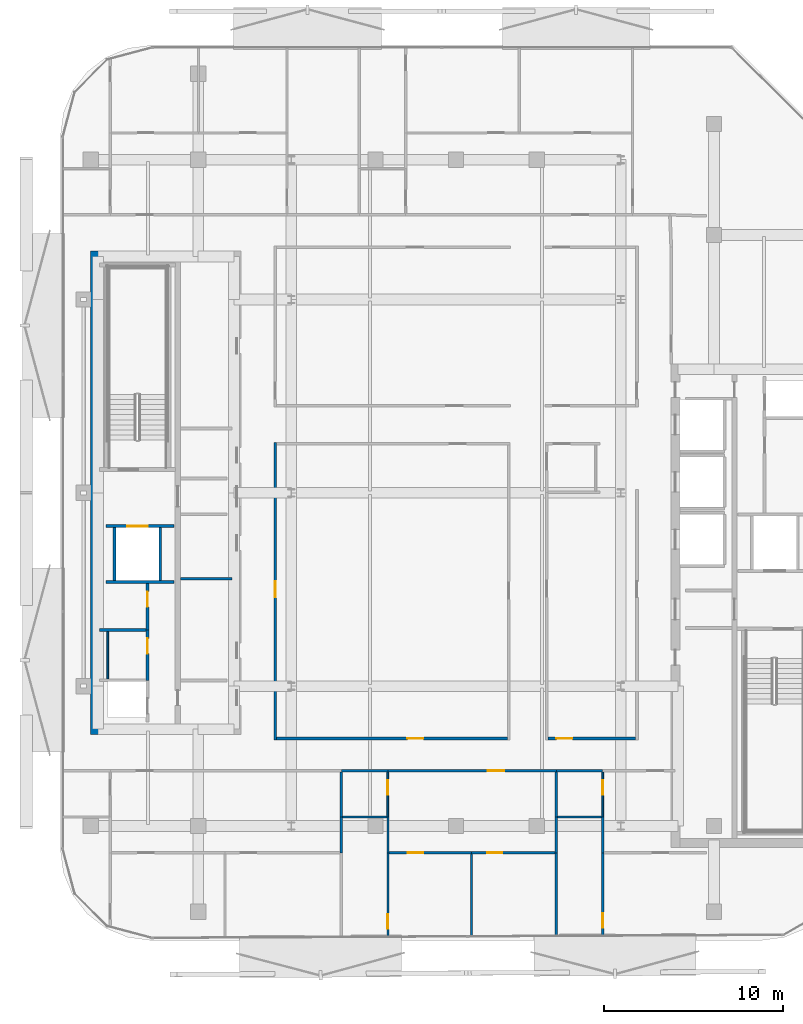
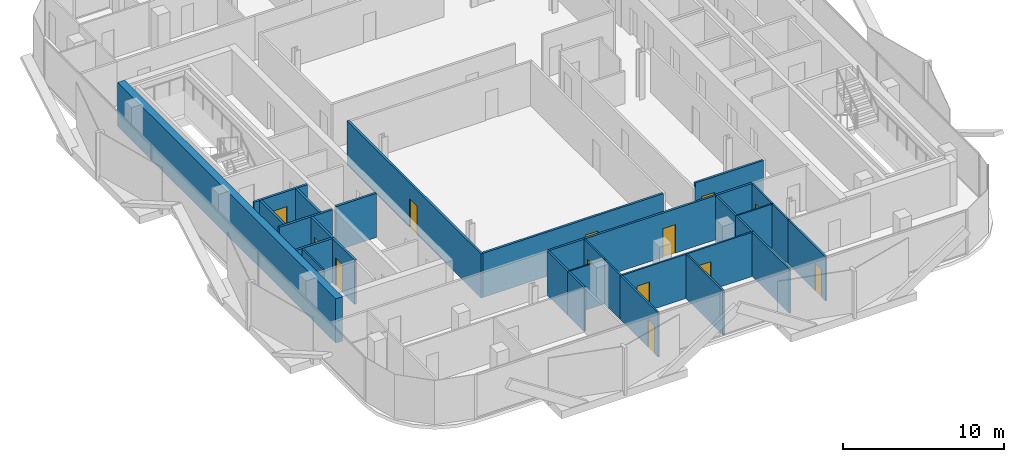
# One storey, part 3 of 15: 32 walls, 13 doors, 13 openings.
"""IFC4 building model written with IfcOpenShell, lengths in metres."""

from ifc_helpers import new_model, si_unit, direction, frame, frame_2d, origin, place, context, subcontext, project, spatial, rectangle, extrude, material, layer, layer_set, type_object, element, fill, save


model = new_model("IFC4")

# Units and contexts
model_context = context("Model", 3, precision=1e-05, world=origin(), true_north=direction((0.0, 1.0)))
body_context = subcontext(model_context, "Body", "Model", "MODEL_VIEW")
ifc_project = project(units=[si_unit("LENGTHUNIT", "METRE"), si_unit("AREAUNIT", "SQUARE_METRE"), si_unit("VOLUMEUNIT", "CUBIC_METRE"), si_unit("PLANEANGLEUNIT", "RADIAN"), si_unit("MASSUNIT", "GRAM", prefix="KILO")], contexts=[model_context])

# Site, building, storey
site_placement = place(None, origin())
site = spatial("IfcSite", under=ifc_project, at=site_placement, CompositionType="ELEMENT")
building_placement = place(site_placement, origin())
building = spatial("IfcBuilding", under=site, at=building_placement, Name="Khairoan Windgate Tower", CompositionType="ELEMENT")
storey_placement = place(building_placement, frame((0.0, 0.0, 251.199951171875)))
storey = spatial("IfcBuildingStorey", under=building, at=storey_placement, Name="L59", CompositionType="ELEMENT", Elevation=251.199951171875)

# Wall
ifc_material_1 = material(Name="Moisture-Resistant Gypsum Partition", Category="gypsum")
ifc_layer_1 = layer(ifc_material_1, 0.10009765625, Name="Moisture-Resistant Gypsum Partition")
ifc_layer_set_1 = layer_set([ifc_layer_1], Name="Moisture-Resistant Gypsum Partition")
wall_type_1 = type_object("IfcWallType", Name="Bathroom Wet-Area Partition Wall", PredefinedType="PARTITIONING", material=ifc_layer_set_1)
wall_1_placement = place(storey_placement, frame((-6.330078125, -18.10009765625, 0.0), z_axis=(0.0, 0.0, 1.0), x_axis=(1.0, 0.0, 0.0)))
element("IfcWall", 1, at=wall_1_placement, inside=storey, type_object=wall_type_1, Name="L59 Interior Partition 071", PredefinedType="PARTITIONING", context=body_context, shape_type="SweptSolid", body=[
    extrude(rectangle(XDim=2.469970703125, YDim=0.10009765625, at=frame_2d((1.23486328125, 0.0))), origin(), (0.0, 0.0, 1.0), 3.340087890625),
])

# Wall, opening, door
wall_2_placement = place(storey_placement, frame((-3.81005859375, -18.10009765625, 0.0), z_axis=(0.0, 0.0, 1.0), x_axis=(0.0, 1.0, 0.0)))
wall_2 = element("IfcWall", 2, at=wall_2_placement, inside=storey, type_object=wall_type_1, Name="L59 Interior Partition 072", PredefinedType="PARTITIONING", context=body_context, shape_type="SweptSolid", body=[
    extrude(rectangle(XDim=2.5, YDim=0.10009765625, at=frame_2d((1.25, 0.0))), origin(), (0.0, 0.0, 1.0), 3.340087890625),
])
opening_1_placement = place(wall_2_placement, frame((1.239990234375, 0.0, 0.0)))
opening_1 = element("IfcOpeningElement", 3, at=opening_1_placement, cuts=wall_2, Name="Opening ID-BTH", PredefinedType="OPENING", context=body_context, shape_type="SweptSolid", body=[
    extrude(rectangle(XDim=0.800048828125, YDim=2.10009765625, at=frame_2d((0.39990234375, 1.050048828125))), frame((0.0, 0.06005859375, 0.0), z_axis=(0.0, -1.0, 0.0), x_axis=(1.0, 0.0, 0.0)), (0.0, 0.0, 1.0), 0.1201171875),
])
ifc_material_2 = material(Name="Teak Veneer Timber Leaf", Category="wood")
door_type_1 = type_object("IfcDoorType", Name="Internal Bathroom Door ID-BTH 800x2100", OperationType="NOTDEFINED", PredefinedType="DOOR", material=ifc_material_2)
door_1_placement = place(opening_1_placement, origin())
door_1 = element("IfcDoor", 4, at=door_1_placement, inside=storey, type_object=door_type_1, Name="L59 L59-49-L59-51 Door", OperationType="SINGLE_SWING_RIGHT", OverallHeight=2.10009765625, OverallWidth=0.800048828125, PredefinedType="DOOR", context=body_context, shape_type="SweptSolid", body=[
    extrude(rectangle(XDim=0.800048828125, YDim=2.10009765625, at=frame_2d((0.39990234375, 1.050048828125))), frame((0.0, 0.02490234375, 0.0), z_axis=(0.0, -1.0, 0.0), x_axis=(1.0, 0.0, 0.0)), (0.0, 0.0, 1.0), 0.050048828125),
])
fill(opening_1, door_1)

# Wall
wall_3_placement = place(storey_placement, frame((5.669921875, -18.10009765625, 0.0), z_axis=(0.0, 0.0, 1.0), x_axis=(1.0, 0.0, 0.0)))
element("IfcWall", 5, at=wall_3_placement, inside=storey, type_object=wall_type_1, Name="L59 Interior Partition 081", PredefinedType="PARTITIONING", context=body_context, shape_type="SweptSolid", body=[
    extrude(rectangle(XDim=2.469970703125, YDim=0.10009765625, at=frame_2d((1.23486328125, 0.0))), origin(), (0.0, 0.0, 1.0), 3.340087890625),
])

# Wall, opening, door
wall_4_placement = place(storey_placement, frame((8.18994140625, -18.10009765625, 0.0), z_axis=(0.0, 0.0, 1.0), x_axis=(0.0, 1.0, 0.0)))
wall_4 = element("IfcWall", 6, at=wall_4_placement, inside=storey, type_object=wall_type_1, Name="L59 Interior Partition 082", PredefinedType="PARTITIONING", context=body_context, shape_type="SweptSolid", body=[
    extrude(rectangle(XDim=2.5, YDim=0.10009765625, at=frame_2d((1.25, 0.0))), origin(), (0.0, 0.0, 1.0), 3.340087890625),
])
opening_2_placement = place(wall_4_placement, frame((1.239990234375, 0.0, 0.0)))
opening_2 = element("IfcOpeningElement", 7, at=opening_2_placement, cuts=wall_4, Name="Opening ID-BTH", PredefinedType="OPENING", context=body_context, shape_type="SweptSolid", body=[
    extrude(rectangle(XDim=0.800048828125, YDim=2.10009765625, at=frame_2d((0.39990234375, 1.050048828125))), frame((0.0, 0.06005859375, 0.0), z_axis=(0.0, -1.0, 0.0), x_axis=(1.0, 0.0, 0.0)), (0.0, 0.0, 1.0), 0.1201171875),
])
door_2_placement = place(opening_2_placement, origin())
door_2 = element("IfcDoor", 8, at=door_2_placement, inside=storey, type_object=door_type_1, Name="L59 L59-54-L59-56 Door", OperationType="SINGLE_SWING_RIGHT", OverallHeight=2.10009765625, OverallWidth=0.800048828125, PredefinedType="DOOR", context=body_context, shape_type="SweptSolid", body=[
    extrude(rectangle(XDim=0.800048828125, YDim=2.10009765625, at=frame_2d((0.39990234375, 1.050048828125))), frame((0.0, 0.02490234375, 0.0), z_axis=(0.0, -1.0, 0.0), x_axis=(1.0, 0.0, 0.0)), (0.0, 0.0, 1.0), 0.050048828125),
])
fill(opening_2, door_2)

# Wall
wall_5_placement = place(storey_placement, frame((-19.449951171875, -10.389892578125, 0.0), z_axis=(0.0, 0.0, 1.0), x_axis=(0.0, 1.0, 0.0)))
element("IfcWall", 9, at=wall_5_placement, inside=storey, type_object=wall_type_1, Name="L59 Wet Room Side Wall 087", PredefinedType="PARTITIONING", context=body_context, shape_type="SweptSolid", body=[
    extrude(rectangle(XDim=2.639892578125, YDim=0.10009765625, at=frame_2d((1.31982421875, 0.0))), origin(), (0.0, 0.0, 1.0), 3.340087890625),
])

# Wall, opening, door
ifc_material_3 = material(Name="Concrete C40/50", Category="concrete")
ifc_layer_2 = layer(ifc_material_3, 0.159912109375, Name="Concrete C40/50")
ifc_layer_set_2 = layer_set([ifc_layer_2], Name="Concrete C40/50")
wall_type_2 = type_object("IfcWallType", Name="Core and Hoistway Enclosure Wall", PredefinedType="STANDARD", material=ifc_layer_set_2)
wall_6_placement = place(storey_placement, frame((-19.550048828125, -1.860107421875, 0.0), z_axis=(0.0, 0.0, 1.0), x_axis=(1.0, 0.0, 0.0)))
wall_6 = element("IfcWall", 10, at=wall_6_placement, inside=storey, type_object=wall_type_2, Name="L59 Core Shaft Wall SW-FL2-L59", PredefinedType="STANDARD", context=body_context, shape_type="SweptSolid", body=[
    extrude(rectangle(XDim=3.800048828125, YDim=0.159912109375, at=frame_2d((1.89990234375, 0.0))), origin(), (0.0, 0.0, 1.0), 3.340087890625),
])
opening_3_placement = place(wall_6_placement, frame((1.179931640625, 0.0, 0.0)))
opening_3 = element("IfcOpeningElement", 11, at=opening_3_placement, cuts=wall_6, Name="Opening LD-FL", PredefinedType="OPENING", context=body_context, shape_type="SweptSolid", body=[
    extrude(rectangle(XDim=1.14990234375, YDim=2.199951171875, at=frame_2d((0.574951171875, 1.10009765625))), frame((0.0, 0.08984375, 0.0), z_axis=(0.0, -1.0, 0.0), x_axis=(1.0, 0.0, 0.0)), (0.0, 0.0, 1.0), 0.179931640625),
])
ifc_material_4 = material(Name="Steel S355", Category="steel")
door_type_2 = type_object("IfcDoorType", Name="Firefighting Lift Sliding Landing Door LD-FL 1150x2200", OperationType="DOUBLE_DOOR_SLIDING", PredefinedType="DOOR", material=ifc_material_4)
door_3_placement = place(opening_3_placement, origin())
door_3 = element("IfcDoor", 12, at=door_3_placement, inside=storey, type_object=door_type_2, Name="L59 Firefighting Lift FL2 Landing Door", OperationType="DOUBLE_DOOR_SLIDING", OverallHeight=2.199951171875, OverallWidth=1.14990234375, PredefinedType="DOOR", context=body_context, shape_type="SweptSolid", body=[
    extrude(rectangle(XDim=1.14990234375, YDim=2.199951171875, at=frame_2d((0.574951171875, 1.10009765625))), frame((0.0, 0.02490234375, 0.0), z_axis=(0.0, -1.0, 0.0), x_axis=(1.0, 0.0, 0.0)), (0.0, 0.0, 1.0), 0.050048828125),
])
fill(opening_3, door_3)

# Walls
wall_7_placement = place(storey_placement, frame((-19.550048828125, -4.97998046875, 0.0), z_axis=(0.0, 0.0, 1.0), x_axis=(1.0, 0.0, 0.0)))
element("IfcWall", 13, at=wall_7_placement, inside=storey, type_object=wall_type_2, Name="L59 Core Shaft Wall SW-FL2B-L59", PredefinedType="STANDARD", context=body_context, shape_type="SweptSolid", body=[
    extrude(rectangle(XDim=3.800048828125, YDim=0.159912109375, at=frame_2d((1.89990234375, 0.0))), origin(), (0.0, 0.0, 1.0), 3.340087890625),
])
for number, where, z_axis, x_axis, name in (
    (14, (-19.080078125, -4.89990234375, 0.0), (0.0, 0.0, 1.0), (0.0, 1.0, 0.0), "L59 Core Shaft Wall SW-FL2W-L59"),
    (15, (-16.52001953125, -4.89990234375, 0.0), (0.0, 0.0, 1.0), (0.0, 1.0, 0.0), "L59 Core Shaft Wall SW-FL2E-L59"),
):
    element("IfcWall", number, at=place(storey_placement, frame(where, z_axis=z_axis, x_axis=x_axis)), inside=storey, type_object=wall_type_2, Name=name, PredefinedType="STANDARD", context=body_context, shape_type="SweptSolid", body=[
        extrude(rectangle(XDim=2.9599609375, YDim=0.159912109375, at=frame_2d((1.47998046875, 0.0))), origin(), (0.0, 0.0, 1.0), 3.340087890625),
    ])
ifc_material_5 = material(Name="Acoustic Fire-Rated Gypsum Partition", Category="gypsum")
ifc_layer_3 = layer(ifc_material_5, 0.139892578125, Name="Acoustic Fire-Rated Gypsum Partition")
ifc_layer_set_3 = layer_set([ifc_layer_3], Name="Acoustic Fire-Rated Gypsum Partition")
wall_type_3 = type_object("IfcWallType", Name="Inter-Tenancy Compartment Wall", PredefinedType="PARTITIONING", material=ifc_layer_set_3)
wall_8_placement = place(storey_placement, frame((-6.39990234375, -18.10009765625, 0.0), z_axis=(0.0, 0.0, 1.0), x_axis=(0.0, 1.0, 0.0)))
element("IfcWall", 16, at=wall_8_placement, inside=storey, type_object=wall_type_3, Name="L59 Interior Partition 067", PredefinedType="PARTITIONING", context=body_context, shape_type="SweptSolid", body=[
    extrude(rectangle(XDim=2.5, YDim=0.139892578125, at=frame_2d((1.25, 0.0))), origin(), (0.0, 0.0, 1.0), 3.340087890625),
])
wall_9_placement = place(storey_placement, frame((-6.39990234375, -20.10009765625, 0.0), z_axis=(0.0, 0.0, 1.0), x_axis=(0.0, 1.0, 0.0)))
element("IfcWall", 17, at=wall_9_placement, inside=storey, type_object=wall_type_3, Name="L59 Interior Partition 068", PredefinedType="PARTITIONING", context=body_context, shape_type="SweptSolid", body=[
    extrude(rectangle(XDim=2.0, YDim=0.139892578125, at=frame_2d((1.0, 0.0))), origin(), (0.0, 0.0, 1.0), 3.340087890625),
])
wall_10_placement = place(storey_placement, frame((5.60009765625, -18.10009765625, 0.0), z_axis=(0.0, 0.0, 1.0), x_axis=(0.0, 1.0, 0.0)))
element("IfcWall", 18, at=wall_10_placement, inside=storey, type_object=wall_type_3, Name="L59 Interior Partition 077", PredefinedType="PARTITIONING", context=body_context, shape_type="SweptSolid", body=[
    extrude(rectangle(XDim=2.5, YDim=0.139892578125, at=frame_2d((1.25, 0.0))), origin(), (0.0, 0.0, 1.0), 3.340087890625),
])
wall_11_placement = place(storey_placement, frame((5.60009765625, -20.10009765625, 0.0), z_axis=(0.0, 0.0, 1.0), x_axis=(0.0, 1.0, 0.0)))
element("IfcWall", 19, at=wall_11_placement, inside=storey, type_object=wall_type_3, Name="L59 Interior Partition 078", PredefinedType="PARTITIONING", context=body_context, shape_type="SweptSolid", body=[
    extrude(rectangle(XDim=2.0, YDim=0.139892578125, at=frame_2d((1.0, 0.0))), origin(), (0.0, 0.0, 1.0), 3.340087890625),
])
wall_12_placement = place(storey_placement, frame((5.60009765625, -24.74609375, 0.0), z_axis=(0.0, 0.0, 1.0), x_axis=(0.0, 1.0, 0.0)))
element("IfcWall", 20, at=wall_12_placement, inside=storey, type_object=wall_type_3, Name="L59 Interior Partition 080", PredefinedType="PARTITIONING", context=body_context, shape_type="SweptSolid", body=[
    extrude(rectangle(XDim=4.64599609375, YDim=0.139892578125, at=frame_2d((2.322998046875, 0.0))), origin(), (0.0, 0.0, 1.0), 3.340087890625),
])
ifc_material_6 = material(Name="Gypsum Stud Partition", Category="gypsum")
ifc_layer_4 = layer(ifc_material_6, 0.1201171875, Name="Gypsum Stud Partition")
ifc_layer_set_4 = layer_set([ifc_layer_4], Name="Gypsum Stud Partition")
wall_type_4 = type_object("IfcWallType", Name="Internal Room Partition Wall", PredefinedType="PARTITIONING", material=ifc_layer_set_4)
wall_13_placement = place(storey_placement, frame((-3.81005859375, -20.10009765625, 0.0), z_axis=(0.0, 0.0, 1.0), x_axis=(0.0, 1.0, 0.0)))
element("IfcWall", 21, at=wall_13_placement, inside=storey, type_object=wall_type_4, Name="L59 Interior Partition 073", PredefinedType="PARTITIONING", context=body_context, shape_type="SweptSolid", body=[
    extrude(rectangle(XDim=2.0, YDim=0.1201171875, at=frame_2d((1.0, 0.0))), origin(), (0.0, 0.0, 1.0), 3.340087890625),
])

# Wall, opening, door
wall_14_placement = place(storey_placement, frame((-3.81005859375, -24.79150390625, 0.0), z_axis=(0.0, 0.0, 1.0), x_axis=(0.0, 1.0, 0.0)))
wall_14 = element("IfcWall", 22, at=wall_14_placement, inside=storey, type_object=wall_type_4, Name="L59 Interior Partition 074", PredefinedType="PARTITIONING", context=body_context, shape_type="SweptSolid", body=[
    extrude(rectangle(XDim=4.69140625, YDim=0.1201171875, at=frame_2d((2.345703125, 0.0))), origin(), (0.0, 0.0, 1.0), 3.340087890625),
])
opening_4_placement = place(wall_14_placement, frame((0.4599609375, 0.0, 0.0)))
opening_4 = element("IfcOpeningElement", 23, at=opening_4_placement, cuts=wall_14, Name="Opening ID-BTH", PredefinedType="OPENING", context=body_context, shape_type="SweptSolid", body=[
    extrude(rectangle(XDim=0.800048828125, YDim=2.10009765625, at=frame_2d((0.39990234375, 1.050048828125))), frame((0.0, 0.070068359375, 0.0), z_axis=(0.0, -1.0, 0.0), x_axis=(1.0, 0.0, 0.0)), (0.0, 0.0, 1.0), 0.14013671875),
])
door_4_placement = place(opening_4_placement, origin())
door_4 = element("IfcDoor", 24, at=door_4_placement, inside=storey, type_object=door_type_1, Name="L59 L59-50-L59-52 Door", OperationType="SINGLE_SWING_RIGHT", OverallHeight=2.10009765625, OverallWidth=0.800048828125, PredefinedType="DOOR", context=body_context, shape_type="SweptSolid", body=[
    extrude(rectangle(XDim=0.800048828125, YDim=2.10009765625, at=frame_2d((0.39990234375, 1.050048828125))), frame((0.0, 0.02490234375, 0.0), z_axis=(0.0, -1.0, 0.0), x_axis=(1.0, 0.0, 0.0)), (0.0, 0.0, 1.0), 0.050048828125),
])
fill(opening_4, door_4)

wall_15_placement = place(storey_placement, frame((-3.75, -20.10009765625, 0.0), z_axis=(0.0, 0.0, 1.0), x_axis=(1.0, 0.0, 0.0)))
wall_15 = element("IfcWall", 25, at=wall_15_placement, inside=storey, type_object=wall_type_4, Name="L59 Interior Partition 075", PredefinedType="PARTITIONING", context=body_context, shape_type="SweptSolid", body=[
    extrude(rectangle(XDim=4.60498046875, YDim=0.1201171875, at=frame_2d((2.302490234375, 0.0))), origin(), (0.0, 0.0, 1.0), 3.340087890625),
])
opening_5_placement = place(wall_15_placement, frame((1.0654296875, 0.0, 0.0)))
opening_5 = element("IfcOpeningElement", 26, at=opening_5_placement, cuts=wall_15, Name="Opening ID-RM", PredefinedType="OPENING", context=body_context, shape_type="SweptSolid", body=[
    extrude(rectangle(XDim=0.860107421875, YDim=2.14990234375, at=frame_2d((0.43017578125, 1.074951171875))), frame((0.0, 0.070068359375, 0.0), z_axis=(0.0, -1.0, 0.0), x_axis=(1.0, 0.0, 0.0)), (0.0, 0.0, 1.0), 0.14013671875),
])
ifc_material_7 = material(Name="Teak Veneer Timber Leaf", Category="wood")
door_type_3 = type_object("IfcDoorType", Name="Internal Bedroom and Office Door ID-RM 860x2150", OperationType="NOTDEFINED", PredefinedType="DOOR", material=ifc_material_7)
door_5_placement = place(opening_5_placement, origin())
door_5 = element("IfcDoor", 27, at=door_5_placement, inside=storey, type_object=door_type_3, Name="L59 L59-51-L59-52 Door", OperationType="SINGLE_SWING_RIGHT", OverallHeight=2.14990234375, OverallWidth=0.860107421875, PredefinedType="DOOR", context=body_context, shape_type="SweptSolid", body=[
    extrude(rectangle(XDim=0.860107421875, YDim=2.14990234375, at=frame_2d((0.43017578125, 1.074951171875))), frame((0.0, 0.02490234375, 0.0), z_axis=(0.0, -1.0, 0.0), x_axis=(1.0, 0.0, 0.0)), (0.0, 0.0, 1.0), 0.050048828125),
])
fill(opening_5, door_5)

wall_16_placement = place(storey_placement, frame((0.85498046875, -20.10009765625, 0.0), z_axis=(0.0, 0.0, 1.0), x_axis=(1.0, 0.0, 0.0)))
wall_16 = element("IfcWall", 28, at=wall_16_placement, inside=storey, type_object=wall_type_4, Name="L59 Interior Partition 076", PredefinedType="PARTITIONING", context=body_context, shape_type="SweptSolid", body=[
    extrude(rectangle(XDim=4.675048828125, YDim=0.1201171875, at=frame_2d((2.33740234375, 0.0))), origin(), (0.0, 0.0, 1.0), 3.340087890625),
])
opening_6_placement = place(wall_16_placement, frame((0.87353515625, 0.0, 0.0)))
opening_6 = element("IfcOpeningElement", 29, at=opening_6_placement, cuts=wall_16, Name="Opening ID-RM", PredefinedType="OPENING", context=body_context, shape_type="SweptSolid", body=[
    extrude(rectangle(XDim=0.860107421875, YDim=2.14990234375, at=frame_2d((0.43017578125, 1.074951171875))), frame((0.0, 0.070068359375, 0.0), z_axis=(0.0, -1.0, 0.0), x_axis=(1.0, 0.0, 0.0)), (0.0, 0.0, 1.0), 0.14013671875),
])
door_6_placement = place(opening_6_placement, origin())
door_6 = element("IfcDoor", 30, at=door_6_placement, inside=storey, type_object=door_type_3, Name="L59 L59-51-L59-53 Door", OperationType="SINGLE_SWING_LEFT", OverallHeight=2.14990234375, OverallWidth=0.860107421875, PredefinedType="DOOR", context=body_context, shape_type="SweptSolid", body=[
    extrude(rectangle(XDim=0.860107421875, YDim=2.14990234375, at=frame_2d((0.43017578125, 1.074951171875))), frame((0.0, 0.02490234375, 0.0), z_axis=(0.0, -1.0, 0.0), x_axis=(1.0, 0.0, 0.0)), (0.0, 0.0, 1.0), 0.050048828125),
])
fill(opening_6, door_6)

# Walls
wall_17_placement = place(storey_placement, frame((0.85498046875, -24.768798828125, 0.0), z_axis=(0.0, 0.0, 1.0), x_axis=(0.0, 1.0, 0.0)))
element("IfcWall", 31, at=wall_17_placement, inside=storey, type_object=wall_type_4, Name="L59 Interior Partition 079", PredefinedType="PARTITIONING", context=body_context, shape_type="SweptSolid", body=[
    extrude(rectangle(XDim=4.60888671875, YDim=0.1201171875, at=frame_2d((2.304443359375, 0.0))), origin(), (0.0, 0.0, 1.0), 3.340087890625),
])
wall_18_placement = place(storey_placement, frame((8.18994140625, -20.10009765625, 0.0), z_axis=(0.0, 0.0, 1.0), x_axis=(0.0, 1.0, 0.0)))
element("IfcWall", 32, at=wall_18_placement, inside=storey, type_object=wall_type_4, Name="L59 Interior Partition 083", PredefinedType="PARTITIONING", context=body_context, shape_type="SweptSolid", body=[
    extrude(rectangle(XDim=2.0, YDim=0.1201171875, at=frame_2d((1.0, 0.0))), origin(), (0.0, 0.0, 1.0), 3.340087890625),
])

# Wall, opening, door
wall_19_placement = place(storey_placement, frame((8.18994140625, -24.7333984375, 0.0), z_axis=(0.0, 0.0, 1.0), x_axis=(0.0, 1.0, 0.0)))
wall_19 = element("IfcWall", 33, at=wall_19_placement, inside=storey, type_object=wall_type_4, Name="L59 Interior Partition 084", PredefinedType="PARTITIONING", context=body_context, shape_type="SweptSolid", body=[
    extrude(rectangle(XDim=4.63330078125, YDim=0.1201171875, at=frame_2d((2.316650390625, 0.0))), origin(), (0.0, 0.0, 1.0), 3.340087890625),
])
opening_7_placement = place(wall_19_placement, frame((0.4599609375, 0.0, 0.0)))
opening_7 = element("IfcOpeningElement", 34, at=opening_7_placement, cuts=wall_19, Name="Opening ID-BTH", PredefinedType="OPENING", context=body_context, shape_type="SweptSolid", body=[
    extrude(rectangle(XDim=0.800048828125, YDim=2.10009765625, at=frame_2d((0.39990234375, 1.050048828125))), frame((0.0, 0.070068359375, 0.0), z_axis=(0.0, -1.0, 0.0), x_axis=(1.0, 0.0, 0.0)), (0.0, 0.0, 1.0), 0.14013671875),
])
door_7_placement = place(opening_7_placement, origin())
door_7 = element("IfcDoor", 35, at=door_7_placement, inside=storey, type_object=door_type_1, Name="L59 L59-55-L59-57 Door", OperationType="SINGLE_SWING_LEFT", OverallHeight=2.10009765625, OverallWidth=0.800048828125, PredefinedType="DOOR", context=body_context, shape_type="SweptSolid", body=[
    extrude(rectangle(XDim=0.800048828125, YDim=2.10009765625, at=frame_2d((0.39990234375, 1.050048828125))), frame((0.0, 0.02490234375, 0.0), z_axis=(0.0, -1.0, 0.0), x_axis=(1.0, 0.0, 0.0)), (0.0, 0.0, 1.0), 0.050048828125),
])
fill(opening_7, door_7)

ifc_material_8 = material(Name="Concrete C40/50", Category="concrete")
ifc_layer_5 = layer(ifc_material_8, 0.159912109375, Name="Concrete C40/50")
ifc_layer_set_5 = layer_set([ifc_layer_5], Name="Concrete C40/50")
wall_type_5 = type_object("IfcWallType", Name="Plant and Refuge Compartment Wall", PredefinedType="PARTITIONING", material=ifc_layer_set_5)
wall_20_placement = place(storey_placement, frame((-17.22998046875, -10.469970703125, 0.0), z_axis=(0.0, 0.0, 1.0), x_axis=(0.0, 1.0, 0.0)))
wall_20 = element("IfcWall", 36, at=wall_20_placement, inside=storey, type_object=wall_type_5, Name="L59 Interior Partition 002", PredefinedType="PARTITIONING", context=body_context, shape_type="SweptSolid", body=[
    extrude(rectangle(XDim=2.800048828125, YDim=0.159912109375, at=frame_2d((1.39990234375, 0.0))), origin(), (0.0, 0.0, 1.0), 3.340087890625),
])
opening_8_placement = place(wall_20_placement, frame((1.489990234375, 0.0, 0.0)))
opening_8 = element("IfcOpeningElement", 37, at=opening_8_placement, cuts=wall_20, Name="Opening FD-SRV", PredefinedType="OPENING", context=body_context, shape_type="SweptSolid", body=[
    extrude(rectangle(XDim=0.85009765625, YDim=2.10009765625, at=frame_2d((0.425048828125, 1.050048828125))), frame((0.0, 0.08984375, 0.0), z_axis=(0.0, -1.0, 0.0), x_axis=(1.0, 0.0, 0.0)), (0.0, 0.0, 1.0), 0.179931640625),
])
ifc_material_9 = material(Name="Steel S355", Category="steel")
door_type_4 = type_object("IfcDoorType", Name="Core Service and Riser Fire Door FD-SRV 850x2100", OperationType="NOTDEFINED", PredefinedType="DOOR", material=ifc_material_9)
door_8_placement = place(opening_8_placement, origin())
door_8 = element("IfcDoor", 38, at=door_8_placement, inside=storey, type_object=door_type_4, Name="L59 L59-04-L59-06 Door", OperationType="SINGLE_SWING_RIGHT", OverallHeight=2.10009765625, OverallWidth=0.85009765625, PredefinedType="DOOR", context=body_context, shape_type="SweptSolid", body=[
    extrude(rectangle(XDim=0.85009765625, YDim=2.10009765625, at=frame_2d((0.425048828125, 1.050048828125))), frame((0.0, 0.02490234375, 0.0), z_axis=(0.0, -1.0, 0.0), x_axis=(1.0, 0.0, 0.0)), (0.0, 0.0, 1.0), 0.050048828125),
])
fill(opening_8, door_8)

wall_21_placement = place(storey_placement, frame((-17.22998046875, -7.669921875, 0.0), z_axis=(0.0, 0.0, 1.0), x_axis=(0.0, 1.0, 0.0)))
wall_21 = element("IfcWall", 39, at=wall_21_placement, inside=storey, type_object=wall_type_5, Name="L59 Interior Partition 003", PredefinedType="PARTITIONING", context=body_context, shape_type="SweptSolid", body=[
    extrude(rectangle(XDim=2.60986328125, YDim=0.159912109375, at=frame_2d((1.304931640625, 0.0))), origin(), (0.0, 0.0, 1.0), 3.340087890625),
])
opening_9_placement = place(wall_21_placement, frame((1.300048828125, 0.0, 0.0)))
opening_9 = element("IfcOpeningElement", 40, at=opening_9_placement, cuts=wall_21, Name="Opening FD-SRV", PredefinedType="OPENING", context=body_context, shape_type="SweptSolid", body=[
    extrude(rectangle(XDim=0.85009765625, YDim=2.10009765625, at=frame_2d((0.425048828125, 1.050048828125))), frame((0.0, 0.08984375, 0.0), z_axis=(0.0, -1.0, 0.0), x_axis=(1.0, 0.0, 0.0)), (0.0, 0.0, 1.0), 0.179931640625),
])
door_9_placement = place(opening_9_placement, origin())
door_9 = element("IfcDoor", 41, at=door_9_placement, inside=storey, type_object=door_type_4, Name="L59 L59-04-L59-07 Door", OperationType="SINGLE_SWING_LEFT", OverallHeight=2.10009765625, OverallWidth=0.85009765625, PredefinedType="DOOR", context=body_context, shape_type="SweptSolid", body=[
    extrude(rectangle(XDim=0.85009765625, YDim=2.10009765625, at=frame_2d((0.425048828125, 1.050048828125))), frame((0.0, 0.02490234375, 0.0), z_axis=(0.0, -1.0, 0.0), x_axis=(1.0, 0.0, 0.0)), (0.0, 0.0, 1.0), 0.050048828125),
])
fill(opening_9, door_9)

# Walls
wall_22_placement = place(storey_placement, frame((-19.89990234375, -7.669921875, 0.0), z_axis=(0.0, 0.0, 1.0), x_axis=(1.0, 0.0, 0.0)))
element("IfcWall", 42, at=wall_22_placement, inside=storey, type_object=wall_type_5, Name="L59 Interior Partition 005", PredefinedType="PARTITIONING", context=body_context, shape_type="SweptSolid", body=[
    extrude(rectangle(XDim=2.58984375, YDim=0.159912109375, at=frame_2d((1.294921875, 0.0))), origin(), (0.0, 0.0, 1.0), 3.340087890625),
])
wall_23_placement = place(storey_placement, frame((-15.39990234375, -4.800048828125, 0.0), z_axis=(0.0, 0.0, 1.0), x_axis=(1.0, 0.0, 0.0)))
element("IfcWall", 43, at=wall_23_placement, inside=storey, type_object=wall_type_5, Name="L59 Interior Partition 007", PredefinedType="PARTITIONING", context=body_context, shape_type="SweptSolid", body=[
    extrude(rectangle(XDim=2.89990234375, YDim=0.159912109375, at=frame_2d((1.449951171875, 0.0))), origin(), (0.0, 0.0, 1.0), 3.340087890625),
])

# Wall, opening, door
ifc_material_10 = material(Name="Acoustic Fire-Rated Gypsum Partition", Category="gypsum")
ifc_layer_6 = layer(ifc_material_10, 0.14990234375, Name="Acoustic Fire-Rated Gypsum Partition")
ifc_layer_set_6 = layer_set([ifc_layer_6], Name="Acoustic Fire-Rated Gypsum Partition")
wall_type_6 = type_object("IfcWallType", Name="Rated Corridor Partition Wall", PredefinedType="PARTITIONING", material=ifc_layer_set_6)
wall_24_placement = place(storey_placement, frame((-10.10009765625, -13.794921875, 0.0), z_axis=(0.0, 0.0, 1.0), x_axis=(0.0, 1.0, 0.0)))
wall_24 = element("IfcWall", 44, at=wall_24_placement, inside=storey, type_object=wall_type_6, Name="L59 Interior Partition 012", PredefinedType="PARTITIONING", context=body_context, shape_type="SweptSolid", body=[
    extrude(rectangle(XDim=16.60498046875, YDim=0.14990234375, at=frame_2d((8.302490234375, 0.0))), origin(), (0.0, 0.0, 1.0), 3.340087890625),
])
opening_10_placement = place(wall_24_placement, frame((7.953857421875, 0.0, 0.0)))
opening_10 = element("IfcOpeningElement", 45, at=opening_10_placement, cuts=wall_24, Name="Opening FD-ENT", PredefinedType="OPENING", context=body_context, shape_type="SweptSolid", body=[
    extrude(rectangle(XDim=0.89990234375, YDim=2.14990234375, at=frame_2d((0.449951171875, 1.074951171875))), frame((0.0, 0.0849609375, 0.0), z_axis=(0.0, -1.0, 0.0), x_axis=(1.0, 0.0, 0.0)), (0.0, 0.0, 1.0), 0.169921875),
])
ifc_material_11 = material(Name="Timber Fire-Rated Core", Category="wood")
door_type_5 = type_object("IfcDoorType", Name="Unit and Office Fire Entrance Door FD-ENT 900x2150", OperationType="NOTDEFINED", PredefinedType="DOOR", material=ifc_material_11)
door_10_placement = place(opening_10_placement, origin())
door_10 = element("IfcDoor", 46, at=door_10_placement, inside=storey, type_object=door_type_5, Name="L59 L59-26-L59-60 Door", OperationType="SINGLE_SWING_LEFT", OverallHeight=2.14990234375, OverallWidth=0.89990234375, PredefinedType="DOOR", context=body_context, shape_type="SweptSolid", body=[
    extrude(rectangle(XDim=0.89990234375, YDim=2.14990234375, at=frame_2d((0.449951171875, 1.074951171875))), frame((0.0, 0.02490234375, 0.0), z_axis=(0.0, -1.0, 0.0), x_axis=(1.0, 0.0, 0.0)), (0.0, 0.0, 1.0), 0.050048828125),
])
fill(opening_10, door_10)

# Wall
wall_25_placement = place(storey_placement, frame((-6.39990234375, -15.52490234375, 0.0), z_axis=(0.0, 0.0, 1.0), x_axis=(1.0, 0.0, 0.0)))
element("IfcWall", 47, at=wall_25_placement, inside=storey, type_object=wall_type_6, Name="L59 Interior Partition 034", PredefinedType="PARTITIONING", context=body_context, shape_type="SweptSolid", body=[
    extrude(rectangle(XDim=2.58984375, YDim=0.14990234375, at=frame_2d((1.294921875, 0.0))), origin(), (0.0, 0.0, 1.0), 3.340087890625),
])

# Wall, opening, door
wall_26_placement = place(storey_placement, frame((-3.81005859375, -15.52490234375, 0.0), z_axis=(0.0, 0.0, 1.0), x_axis=(1.0, 0.0, 0.0)))
wall_26 = element("IfcWall", 48, at=wall_26_placement, inside=storey, type_object=wall_type_6, Name="L59 Interior Partition 035", PredefinedType="PARTITIONING", context=body_context, shape_type="SweptSolid", body=[
    extrude(rectangle(XDim=9.41015625, YDim=0.14990234375, at=frame_2d((4.705078125, 0.0))), origin(), (0.0, 0.0, 1.0), 3.340087890625),
])
opening_11_placement = place(wall_26_placement, frame((5.58837890625, 0.0, 0.0)))
opening_11 = element("IfcOpeningElement", 49, at=opening_11_placement, cuts=wall_26, Name="Opening FD-ENT", PredefinedType="OPENING", context=body_context, shape_type="SweptSolid", body=[
    extrude(rectangle(XDim=0.89990234375, YDim=2.14990234375, at=frame_2d((0.449951171875, 1.074951171875))), frame((0.0, 0.0849609375, 0.0), z_axis=(0.0, -1.0, 0.0), x_axis=(1.0, 0.0, 0.0)), (0.0, 0.0, 1.0), 0.169921875),
])
door_11_placement = place(opening_11_placement, origin())
door_11 = element("IfcDoor", 50, at=door_11_placement, inside=storey, type_object=door_type_5, Name="L59 L59-31-L59-51 Door", OperationType="SINGLE_SWING_RIGHT", OverallHeight=2.14990234375, OverallWidth=0.89990234375, PredefinedType="DOOR", context=body_context, shape_type="SweptSolid", body=[
    extrude(rectangle(XDim=0.89990234375, YDim=2.14990234375, at=frame_2d((0.449951171875, 1.074951171875))), frame((0.0, 0.02490234375, 0.0), z_axis=(0.0, -1.0, 0.0), x_axis=(1.0, 0.0, 0.0)), (0.0, 0.0, 1.0), 0.050048828125),
])
fill(opening_11, door_11)

# Wall
wall_27_placement = place(storey_placement, frame((5.60009765625, -15.52490234375, 0.0), z_axis=(0.0, 0.0, 1.0), x_axis=(1.0, 0.0, 0.0)))
element("IfcWall", 51, at=wall_27_placement, inside=storey, type_object=wall_type_6, Name="L59 Interior Partition 036", PredefinedType="PARTITIONING", context=body_context, shape_type="SweptSolid", body=[
    extrude(rectangle(XDim=2.58984375, YDim=0.14990234375, at=frame_2d((1.294921875, 0.0))), origin(), (0.0, 0.0, 1.0), 3.340087890625),
])

# Wall, opening, door
wall_28_placement = place(storey_placement, frame((-10.02490234375, -13.719970703125, 0.0), z_axis=(0.0, 0.0, 1.0), x_axis=(1.0, 0.0, 0.0)))
wall_28 = element("IfcWall", 52, at=wall_28_placement, inside=storey, type_object=wall_type_6, Name="L59 Interior Partition 038", PredefinedType="PARTITIONING", context=body_context, shape_type="SweptSolid", body=[
    extrude(rectangle(XDim=12.885009765625, YDim=0.14990234375, at=frame_2d((6.4423828125, 0.0))), origin(), (0.0, 0.0, 1.0), 3.340087890625),
])
opening_12_placement = place(wall_28_placement, frame((7.30029296875, 0.0, 0.0)))
opening_12 = element("IfcOpeningElement", 53, at=opening_12_placement, cuts=wall_28, Name="Opening FD-ENT", PredefinedType="OPENING", context=body_context, shape_type="SweptSolid", body=[
    extrude(rectangle(XDim=0.89990234375, YDim=2.14990234375, at=frame_2d((0.449951171875, 1.074951171875))), frame((0.0, 0.0849609375, 0.0), z_axis=(0.0, -1.0, 0.0), x_axis=(1.0, 0.0, 0.0)), (0.0, 0.0, 1.0), 0.169921875),
])
door_12_placement = place(opening_12_placement, origin())
door_12 = element("IfcDoor", 54, at=door_12_placement, inside=storey, type_object=door_type_5, Name="L59 L59-31-L59-60 Door", OperationType="SINGLE_SWING_RIGHT", OverallHeight=2.14990234375, OverallWidth=0.89990234375, PredefinedType="DOOR", context=body_context, shape_type="SweptSolid", body=[
    extrude(rectangle(XDim=0.89990234375, YDim=2.14990234375, at=frame_2d((0.449951171875, 1.074951171875))), frame((0.0, 0.02490234375, 0.0), z_axis=(0.0, -1.0, 0.0), x_axis=(1.0, 0.0, 0.0)), (0.0, 0.0, 1.0), 0.050048828125),
])
fill(opening_12, door_12)

wall_29_placement = place(storey_placement, frame((5.139892578125, -13.719970703125, 0.0), z_axis=(0.0, 0.0, 1.0), x_axis=(1.0, 0.0, 0.0)))
wall_29 = element("IfcWall", 55, at=wall_29_placement, inside=storey, type_object=wall_type_6, Name="L59 Interior Partition 039", PredefinedType="PARTITIONING", context=body_context, shape_type="SweptSolid", body=[
    extrude(rectangle(XDim=4.885009765625, YDim=0.14990234375, at=frame_2d((2.4423828125, 0.0))), origin(), (0.0, 0.0, 1.0), 3.340087890625),
])
opening_13_placement = place(wall_29_placement, frame((0.4599609375, 0.0, 0.0)))
opening_13 = element("IfcOpeningElement", 56, at=opening_13_placement, cuts=wall_29, Name="Opening FD-ENT", PredefinedType="OPENING", context=body_context, shape_type="SweptSolid", body=[
    extrude(rectangle(XDim=0.89990234375, YDim=2.14990234375, at=frame_2d((0.449951171875, 1.074951171875))), frame((0.0, 0.0849609375, 0.0), z_axis=(0.0, -1.0, 0.0), x_axis=(1.0, 0.0, 0.0)), (0.0, 0.0, 1.0), 0.169921875),
])
door_13_placement = place(opening_13_placement, origin())
door_13 = element("IfcDoor", 57, at=door_13_placement, inside=storey, type_object=door_type_5, Name="L59 L59-31-L59-63 Door", OperationType="SINGLE_SWING_LEFT", OverallHeight=2.14990234375, OverallWidth=0.89990234375, PredefinedType="DOOR", context=body_context, shape_type="SweptSolid", body=[
    extrude(rectangle(XDim=0.89990234375, YDim=2.14990234375, at=frame_2d((0.449951171875, 1.074951171875))), frame((0.0, 0.02490234375, 0.0), z_axis=(0.0, -1.0, 0.0), x_axis=(1.0, 0.0, 0.0)), (0.0, 0.0, 1.0), 0.050048828125),
])
fill(opening_13, door_13)

# Wall
ifc_material_12 = material(Name="Concrete C50/60", Category="concrete")
ifc_layer_7 = layer(ifc_material_12, 0.5, Name="Concrete C50/60")
ifc_layer_set_7 = layer_set([ifc_layer_7], Name="Concrete C50/60")
wall_type_7 = type_object("IfcWallType", Name="Shear Wall CW-W3 500mm", PredefinedType="SHEAR", material=ifc_layer_set_7)
wall_30_placement = place(storey_placement, frame((-20.14990234375, -13.5, 0.0), z_axis=(0.0, 0.0, 1.0), x_axis=(0.0, 1.0, 0.0)))
element("IfcWall", 58, at=wall_30_placement, inside=storey, type_object=wall_type_7, Name="W Core West Shear Wall L59", PredefinedType="SHEAR", context=body_context, shape_type="SweptSolid", body=[
    extrude(rectangle(XDim=27.0, YDim=0.5, at=frame_2d((13.5, 0.0))), origin(), (0.0, 0.0, 1.0), 3.340087890625),
])

save(model, "model.ifc")
